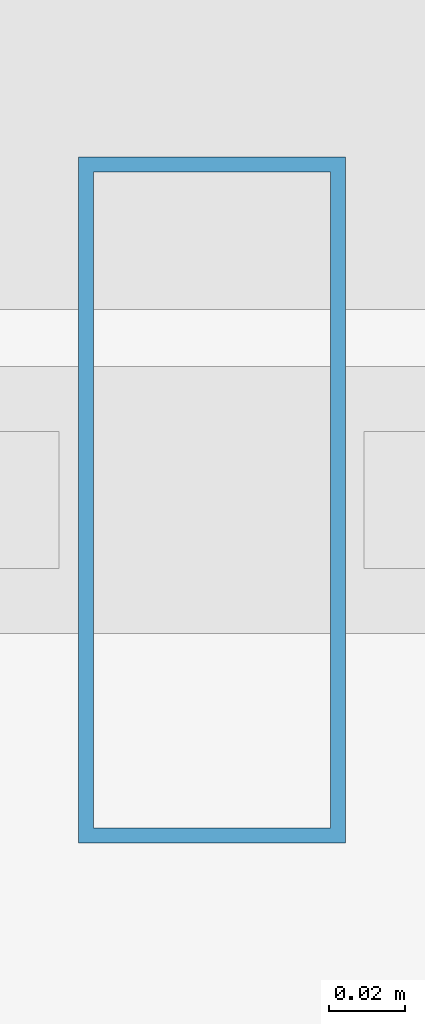
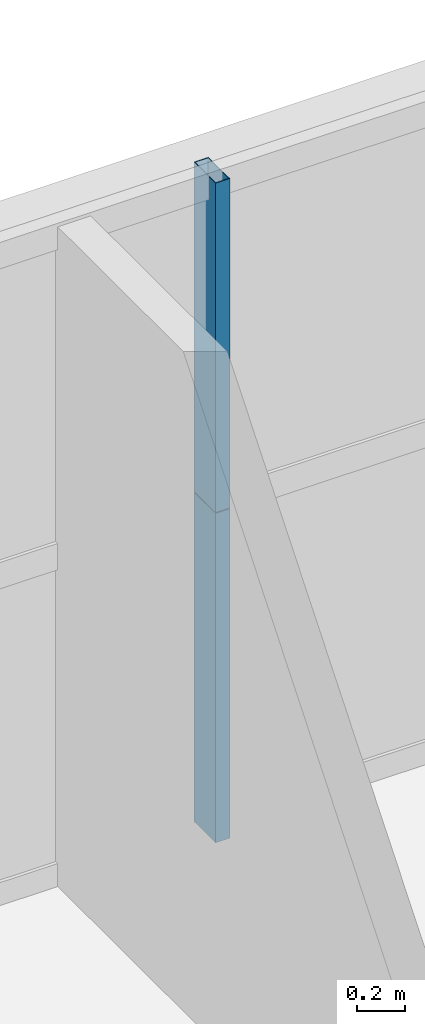
# One storey, part 35 of 43: 2 members, 1 element without a shape of its own.
"""IFC4 building model written with IfcOpenShell, lengths in metres."""

from ifc_helpers import new_model, si_unit, direction, frame, origin, origin_2d, place, context, subcontext, project, spatial, hollow_rectangle, extrude, source, transform, mapped, material, layer, layer_set, material_profile, profile_set, type_object, element, aggregate, save


model = new_model("IFC4")

# Units and contexts
model_context = context("Model", 3, precision=1e-05, world=origin(), true_north=direction((0.0, 1.0)))
body_context = subcontext(model_context, "Body", "Model", "MODEL_VIEW")
ifc_project = project(units=[si_unit("LENGTHUNIT", "METRE"), si_unit("AREAUNIT", "SQUARE_METRE"), si_unit("VOLUMEUNIT", "CUBIC_METRE"), si_unit("PLANEANGLEUNIT", "RADIAN"), si_unit("MASSUNIT", "GRAM", prefix="KILO"), si_unit("THERMODYNAMICTEMPERATUREUNIT", "KELVIN"), si_unit("POWERUNIT", "WATT")], contexts=[model_context])

# Site, building, storey
site_placement = place(None, origin())
site = spatial("IfcSite", under=ifc_project, at=site_placement, CompositionType="ELEMENT")
building_placement = place(site_placement, origin())
building = spatial("IfcBuilding", under=site, at=building_placement, Name="Yuzanri Waterfront Tower", CompositionType="ELEMENT")
storey_placement = place(building_placement, frame((0.0, 0.0, 67.60009765625)))
storey = spatial("IfcBuildingStorey", under=building, at=storey_placement, Name="L17", CompositionType="ELEMENT", Elevation=67.60009765625)

# Curtain wall, members
ifc_material_1 = material(Name="Anodized Architectural Bronze", Category="metal")
ifc_layer = layer(ifc_material_1, 0.159912109375)
ifc_layer_set = layer_set([ifc_layer], Name="Anodized Architectural Bronze")
curtain_wall_type = type_object("IfcCurtainWallType", Name="Anodized Bronze Hotel Lower-Tier Recessed Unitized Curtain Wall 8100", PredefinedType="NOTDEFINED", material=ifc_layer_set)
curtain_wall_placement = place(storey_placement, origin())
curtain_wall = element("IfcCurtainWall", 1, at=curtain_wall_placement, inside=storey, type_object=curtain_wall_type, Name="L17 Curtain Wall CW-L17-NR", PredefinedType="NOTDEFINED")
ifc_material_2 = material(Name="Anodized Architectural Bronze", Category="metal")
ifc_material_profile = material_profile(ifc_material_2, hollow_rectangle(XDim=0.070068359375, YDim=0.179931640625, WallThickness=0.00390625, at=origin_2d()), Name="CWM 70x180")
ifc_profile_set = profile_set([ifc_material_profile], Name="Anodized Architectural Bronze")
member_type = type_object("IfcMemberType", Name="Anodized Bronze Standard Curtain-Wall Mullion 70x180", PredefinedType="MULLION", material=ifc_profile_set)
shared_shape = source(origin(), body_context, "Body", "SweptSolid", [
    extrude(hollow_rectangle(XDim=0.070068359375, YDim=0.179931640625, WallThickness=0.00390625, at=origin_2d()), origin(), (0.0, 0.0, 1.0), 1.68798828125),
])
member_1_placement = place(storey_placement, frame((46.10009765625, 50.75, 0.0), z_axis=(0.0, 0.0, 1.0), x_axis=(1.0, 0.0, 0.0)))
member_1 = element("IfcMember", 2, at=member_1_placement, type_object=member_type, Name="CW-L17-NR Lower Mullion 01", PredefinedType="MULLION", context=body_context, shape_type="MappedRepresentation", body=[
    mapped(shared_shape, transform((0.0, 0.0, 0.0), scale=1.0)),
])
member_2_placement = place(storey_placement, frame((46.10009765625, 50.75, 1.69189453125), z_axis=(0.0, 0.0, 1.0), x_axis=(1.0, 0.0, 0.0)))
member_2 = element("IfcMember", 3, at=member_2_placement, type_object=member_type, Name="CW-L17-NR Upper Mullion 01", PredefinedType="MULLION", context=body_context, shape_type="MappedRepresentation", body=[
    mapped(shared_shape, transform((0.0, 0.0, 0.0), scale=1.0)),
])
aggregate(curtain_wall, [member_1, member_2])

save(model, "model.ifc")
